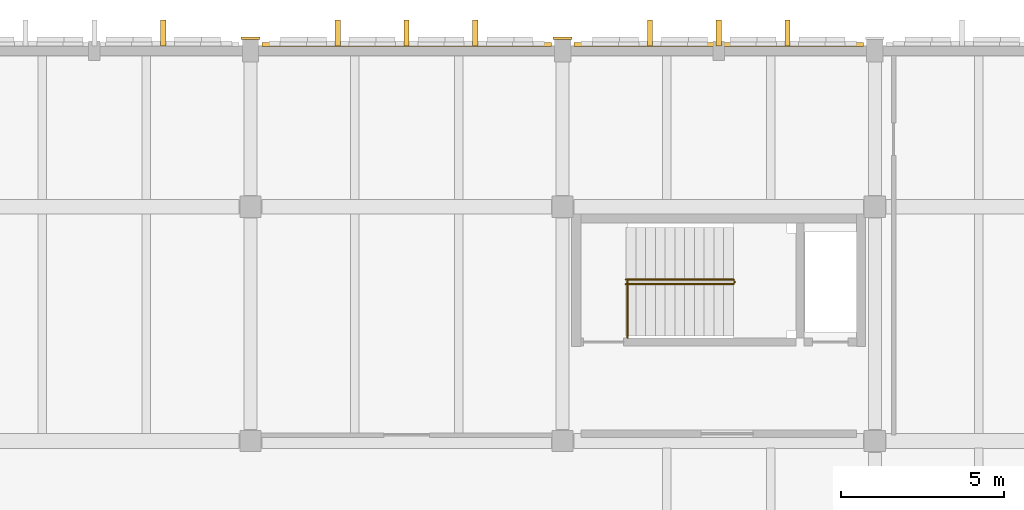
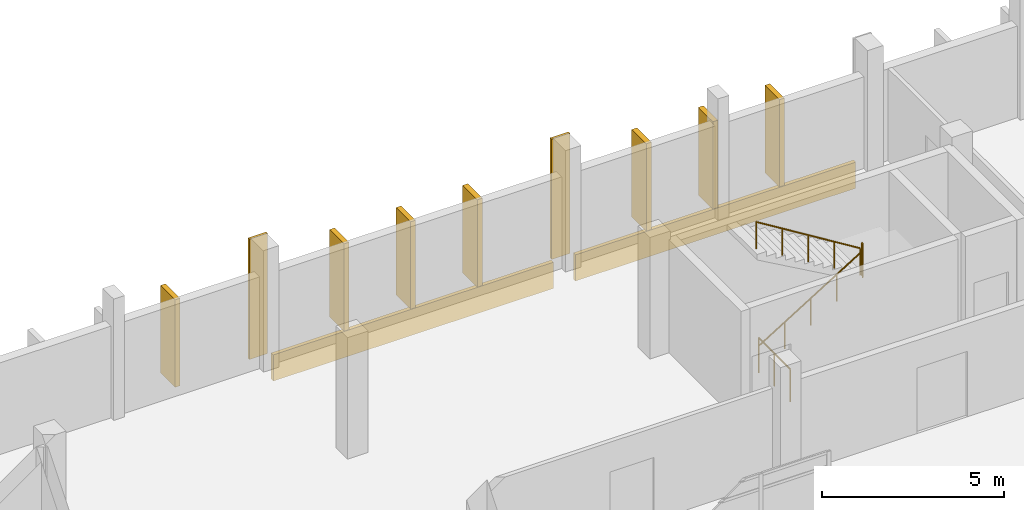
# One storey, part 67 of 72: 11 coverings, 4 railings.
"""IFC4 building model written with IfcOpenShell, lengths in metres."""

import ifcopenshell
import ifcopenshell.guid

model = None  # the IFC model being written
_history = None  # IfcOwnerHistory: only IFC2X3 demands one
_inside = {}  # id of a spatial element -> (the spatial element, [elements in it])
_under = {}  # id of a project, library or spatial element -> (it, [spatial elements below it])
_declared = {}  # id of a project -> (the project, [libraries it declares])
_typed = {}  # id of a type object -> (the type object, [elements of that type])
_made_of = {}  # id of a material, layer set ... -> (it, [elements and type objects made of it])


def new_model(schema):
    """Start an empty IFC model of exactly this schema.

    Asked for "IFC4X3", IfcOpenShell would pick the latest addendum, in which some entities
    have other attributes; the version numbers below select the first issue.
    IFC2X3 requires an IfcOwnerHistory on every rooted entity: one is made here for all.
    """
    global model, _history
    if schema == "IFC4X3":
        model = ifcopenshell.file(schema_version=(4, 3, 0, 0))
    else:
        model = ifcopenshell.file(schema=schema)
    _inside.clear()
    _under.clear()
    _declared.clear()
    _typed.clear()
    _made_of.clear()
    _history = None
    if model.schema == "IFC2X3":
        org = make("IfcOrganization", Name="unknown")
        user = make(
            "IfcPersonAndOrganization",
            ThePerson=make("IfcPerson", FamilyName="unknown"),
            TheOrganization=org,
        )
        app = make(
            "IfcApplication",
            ApplicationDeveloper=org,
            Version="unknown",
            ApplicationFullName="unknown",
            ApplicationIdentifier="unknown",
        )
        _history = make(
            "IfcOwnerHistory",
            OwningUser=user,
            OwningApplication=app,
            ChangeAction="ADDED",
            CreationDate=0,
        )
    return model


def make(cls, **values):
    """One entity of the class cls with the attributes given. An attribute that is None is left unset."""
    return model.create_entity(
        cls, **{name: value for name, value in values.items() if value is not None}
    )


def rooted(cls, **values):
    """An entity with a GlobalId (a new one), such as an element, a storey or a relation."""
    return make(cls, GlobalId=ifcopenshell.guid.new(), OwnerHistory=_history, **values)


def si_unit(unit_type, name, prefix=None):
    """IfcSIUnit, for example si_unit("LENGTHUNIT", "METRE", prefix="MILLI")."""
    return make("IfcSIUnit", UnitType=unit_type, Prefix=prefix, Name=name)


def assignment(units):
    """IfcUnitAssignment: the units of a project."""
    return None if units is None else make("IfcUnitAssignment", Units=units)


def point(xyz):
    """IfcCartesianPoint."""
    return None if xyz is None else make("IfcCartesianPoint", Coordinates=xyz)


def direction(xyz):
    """IfcDirection."""
    return None if xyz is None else make("IfcDirection", DirectionRatios=xyz)


def frame(location, z_axis=None, x_axis=None):
    """IfcAxis2Placement3D, a coordinate frame: its origin and axes. An axis left out is left unset."""
    return make(
        "IfcAxis2Placement3D",
        Location=point(location),
        Axis=direction(z_axis),
        RefDirection=direction(x_axis),
    )


def frame_2d(location, x_axis=None):
    """IfcAxis2Placement2D, a coordinate frame in the plane: its origin and x axis."""
    return make(
        "IfcAxis2Placement2D", Location=point(location), RefDirection=direction(x_axis)
    )


def origin():
    """The frame at (0, 0, 0) with its axes left unset."""
    return frame((0.0, 0.0, 0.0))


def origin_2d():
    """The frame at (0, 0) in the plane with its x axis left unset."""
    return frame_2d((0.0, 0.0))


def place(relative_to, where):
    """IfcLocalPlacement: puts the frame where relative to a parent placement (None: the world)."""
    return make(
        "IfcLocalPlacement", PlacementRelTo=relative_to, RelativePlacement=where
    )


def context(
    kind, dimensions, precision=None, world=None, true_north=None, identifier=None
):
    """IfcGeometricRepresentationContext, for example the 3D "Model" context."""
    return make(
        "IfcGeometricRepresentationContext",
        ContextIdentifier=identifier,
        ContextType=kind,
        CoordinateSpaceDimension=dimensions,
        Precision=precision,
        WorldCoordinateSystem=world,
        TrueNorth=true_north,
    )


def subcontext(parent, identifier, kind, view, scale=None):
    """IfcGeometricRepresentationSubContext, for example "Body" below "Model"."""
    return make(
        "IfcGeometricRepresentationSubContext",
        ContextIdentifier=identifier,
        ContextType=kind,
        ParentContext=parent,
        TargetScale=scale,
        TargetView=view,
    )


def project(units=None, contexts=None):
    """IfcProject with its units and contexts."""
    return rooted(
        "IfcProject",
        Name="project",
        RepresentationContexts=contexts,
        UnitsInContext=assignment(units),
    )


def spatial(cls, under=None, at=None, **own):
    """A site, building, storey or space (cls), placed at a placement, below another one or the project."""
    s = rooted(cls, ObjectPlacement=at, **own)
    if under is not None:
        _under.setdefault(under.id(), (under, []))[1].append(s)
    return s


def profile(cls, at=None, kind="AREA", **sizes):
    """A parametric profile (cls). Its sizes go by their IFC names, for example OverallWidth=200.0."""
    return make(cls, ProfileType=kind, Position=at, **sizes)


def rectangle(**sizes):
    """IfcRectangleProfileDef."""
    return profile("IfcRectangleProfileDef", **sizes)


def circle(**sizes):
    """IfcCircleProfileDef."""
    return profile("IfcCircleProfileDef", **sizes)


def extrude(swept, where, along, depth):
    """IfcExtrudedAreaSolid: the profile swept, set in the frame where, extruded along a direction by depth."""
    return make(
        "IfcExtrudedAreaSolid",
        SweptArea=swept,
        Position=where,
        ExtrudedDirection=direction(along),
        Depth=depth,
    )


def shape(context_of_items, identifier, shape_type, items):
    """IfcShapeRepresentation: the items that make up one representation, for example the "Body"."""
    return make(
        "IfcShapeRepresentation",
        ContextOfItems=context_of_items,
        RepresentationIdentifier=identifier,
        RepresentationType=shape_type,
        Items=items,
    )


def material(Name=None, Category=None):
    """IfcMaterial."""
    return make("IfcMaterial", Name=Name, Category=Category)


def layer(
    of_material, thickness, ventilated=None, Name=None, Category=None, Priority=None
):
    """IfcMaterialLayer: one layer of a wall or slab, of a material (None: an air gap)."""
    return make(
        "IfcMaterialLayer",
        Material=of_material,
        LayerThickness=thickness,
        IsVentilated=ventilated,
        Name=Name,
        Category=Category,
        Priority=Priority,
    )


def layer_set(layers, Name=None):
    """IfcMaterialLayerSet."""
    return make("IfcMaterialLayerSet", MaterialLayers=layers, LayerSetName=Name)


def made_of(thing, what):
    """Note that an element or type object is made of a material, layer set ...; save() writes the relation."""
    if what is not None:
        _made_of.setdefault(what.id(), (what, []))[1].append(thing)
    return thing


def type_object(cls, material=None, **own):
    """A type object (cls), such as IfcWallType, which elements share."""
    return made_of(rooted(cls, **own), material)


def element(
    cls,
    number,
    at=None,
    inside=None,
    cuts=None,
    type_object=None,
    material=None,
    context=None,
    identifier="Body",
    shape_type=None,
    held_by="IfcProductDefinitionShape",
    body=None,
    shapes=None,
    **own,
):
    """One element of the class cls, such as IfcWall. Its Tag is "e" and its number.

    at: its placement. inside: the storey or other place that contains it. cuts: it is an
    opening in that element (IfcRelVoidsElement). A single representation is given by context,
    identifier, shape_type and body (its items); several are given by shapes. held_by: the class
    of the entity that holds the representations. save() writes the other relations.
    """
    e = rooted(cls, Tag="e%d" % number, ObjectPlacement=at, **own)
    if body is not None:
        shapes = [shape(context, identifier, shape_type, body)]
    if shapes is not None:
        e.Representation = make(held_by, Representations=shapes)
    if inside is not None:
        _inside.setdefault(inside.id(), (inside, []))[1].append(e)
    if cuts is not None:
        rooted(
            "IfcRelVoidsElement", RelatingBuildingElement=cuts, RelatedOpeningElement=e
        )
    if type_object is not None:
        _typed.setdefault(type_object.id(), (type_object, []))[1].append(e)
    return made_of(e, material)


def aggregate(whole, parts):
    """IfcRelAggregates: a whole, such as a stair, and the parts it consists of."""
    return rooted("IfcRelAggregates", RelatingObject=whole, RelatedObjects=parts)


def save(model, path):
    """Write the relations noted so far, then the file.

    IfcRelAggregates (storeys below a building ...), IfcRelContainedInSpatialStructure (elements
    in a storey), IfcRelDefinesByType, IfcRelAssociatesMaterial and IfcRelDeclares: one each for
    every whole, place, type object, material and project.
    """
    for whole, parts in _under.values():
        aggregate(whole, parts)
    for where, things in _inside.values():
        rooted(
            "IfcRelContainedInSpatialStructure",
            RelatedElements=things,
            RelatingStructure=where,
        )
    for kind, things in _typed.values():
        rooted("IfcRelDefinesByType", RelatedObjects=things, RelatingType=kind)
    for what, things in _made_of.values():
        rooted("IfcRelAssociatesMaterial", RelatedObjects=things, RelatingMaterial=what)
    for by, libraries in _declared.values():
        rooted("IfcRelDeclares", RelatingContext=by, RelatedDefinitions=libraries)
    model.write(path)


model = new_model("IFC4")

# Units and contexts
model_context = context("Model", 3, precision=1e-05, world=origin(), true_north=direction((0.0, 1.0)))
body_context = subcontext(model_context, "Body", "Model", "MODEL_VIEW")
ifc_project = project(units=[si_unit("LENGTHUNIT", "METRE"), si_unit("AREAUNIT", "SQUARE_METRE"), si_unit("VOLUMEUNIT", "CUBIC_METRE"), si_unit("PLANEANGLEUNIT", "RADIAN"), si_unit("MASSUNIT", "GRAM", prefix="KILO")], contexts=[model_context])

# Site, building, storey
site_placement = place(None, origin())
site = spatial("IfcSite", under=ifc_project, at=site_placement, CompositionType="ELEMENT")
building_placement = place(site_placement, origin())
building = spatial("IfcBuilding", under=site, at=building_placement, Name="Asteropetra Specialist Clinic", CompositionType="ELEMENT")
storey_placement = place(building_placement, frame((0.0, 0.0, 12.580078125)))
storey = spatial("IfcBuildingStorey", under=building, at=storey_placement, Name="L03", CompositionType="ELEMENT", Elevation=12.580078125)

# Coverings
ifc_material_1 = material(Name="Chevron terracotta pale", Category="masonry")
ifc_layer_1 = layer(ifc_material_1, 0.1201171875)
ifc_layer_set_1 = layer_set([ifc_layer_1], Name="Chevron terracotta pale")
covering_type_1 = type_object("IfcCoveringType", Name="CLD-TER-PALE", PredefinedType="CLADDING", material=ifc_layer_set_1)
for number, where, z_axis, x_axis, name in (
    (1, (24.0, 110.590087890625, -0.800048828125), (0.0, 0.0, 1.0), (1.0, 0.0, 0.0), "Chevron Spandrel Band CV-1469"),
    (2, (33.60009765625, 110.590087890625, -0.800048828125), (0.0, 0.0, 1.0), (1.0, 0.0, 0.0), "Chevron Spandrel Band CV-1485"),
):
    element("IfcCovering", number, at=place(storey_placement, frame(where, z_axis=z_axis, x_axis=x_axis)), inside=storey, type_object=covering_type_1, Name=name, PredefinedType="CLADDING", context=body_context, shape_type="SweptSolid", body=[
        extrude(rectangle(XDim=8.89990234375, YDim=0.1201171875, at=origin_2d()), origin(), (0.0, 0.0, 1.0), 0.8798828125),
    ])
ifc_material_2 = material(Name="Pentelic marble ashlar", Category="masonry")
ifc_layer_2 = layer(ifc_material_2, 0.159912109375)
ifc_layer_set_2 = layer_set([ifc_layer_2], Name="Pentelic marble ashlar")
covering_type_2 = type_object("IfcCoveringType", Name="CRN-ENTAB-600", PredefinedType="MOLDING", material=ifc_layer_set_2)
for number, where, z_axis, x_axis, name in (
    (3, (19.199951171875, 110.781982421875, 0.02001953125), (0.0, 0.0, 1.0), (1.0, 0.0, 0.0), "Neoclassical Pilaster Facing CM-0687"),
    (4, (28.800048828125, 110.781982421875, 0.02001953125), (0.0, 0.0, 1.0), (1.0, 0.0, 0.0), "Neoclassical Pilaster Facing CM-0689"),
):
    element("IfcCovering", number, at=place(storey_placement, frame(where, z_axis=z_axis, x_axis=x_axis)), inside=storey, type_object=covering_type_2, Name=name, PredefinedType="MOLDING", context=body_context, shape_type="SweptSolid", body=[
        extrude(rectangle(XDim=0.580078125, YDim=0.080078125, at=origin_2d()), origin(), (0.0, 0.0, 1.0), 4.0400390625),
    ])
ifc_material_3 = material(Name="Pentelic marble solar fin", Category="masonry")
ifc_layer_3 = layer(ifc_material_3, 0.080078125)
ifc_layer_set_3 = layer_set([ifc_layer_3], Name="Pentelic marble solar fin")
covering_type_3 = type_object("IfcCoveringType", Name="FIN-SOLAR-800", PredefinedType="MOLDING", material=ifc_layer_set_3)
for number, where, z_axis, x_axis, name in (
    (5, (16.514892578125, 110.945068359375, 0.070068359375), (0.0, 0.0, 1.0), (1.0, 0.0, 0.0), "Solar Shading Fin FN-0084"),
    (6, (26.114990234375, 110.945068359375, 0.070068359375), (0.0, 0.0, 1.0), (1.0, 0.0, 0.0), "Solar Shading Fin FN-0087"),
    (7, (24.0, 110.945068359375, 0.070068359375), (0.0, 0.0, 1.0), (1.0, 0.0, 0.0), "Solar Shading Fin FN-0088"),
    (8, (21.885009765625, 110.945068359375, 0.070068359375), (0.0, 0.0, 1.0), (1.0, 0.0, 0.0), "Solar Shading Fin FN-0089"),
    (9, (35.715087890625, 110.945068359375, 0.070068359375), (0.0, 0.0, 1.0), (1.0, 0.0, 0.0), "Solar Shading Fin FN-0092"),
    (10, (33.60009765625, 110.945068359375, 0.070068359375), (0.0, 0.0, 1.0), (1.0, 0.0, 0.0), "Solar Shading Fin FN-0093"),
    (11, (31.485107421875, 110.945068359375, 0.070068359375), (0.0, 0.0, 1.0), (1.0, 0.0, 0.0), "Solar Shading Fin FN-0094"),
):
    element("IfcCovering", number, at=place(storey_placement, frame(where, z_axis=z_axis, x_axis=x_axis)), inside=storey, type_object=covering_type_3, Name=name, PredefinedType="MOLDING", context=body_context, shape_type="SweptSolid", body=[
        extrude(rectangle(XDim=0.159912109375, YDim=0.800048828125, at=origin_2d()), origin(), (0.0, 0.0, 1.0), 2.93994140625),
    ])

# Railings
ifc_material_4 = material(Name="Steel S355 and laminated glass guard", Category="steel")
railing_type_1 = type_object("IfcRailingType", Name="GRD-INT-1120", PredefinedType="GUARDRAIL", material=ifc_material_4)
railing_1_placement = place(storey_placement, frame((30.800048828125, 101.580078125, 0.0)))
element("IfcRailing", 12, at=railing_1_placement, inside=storey, type_object=railing_type_1, Name="Stair Well Guard ST02-L02", PredefinedType="GUARDRAIL", context=body_context, shape_type="SweptSolid", body=[
    extrude(circle(Radius=0.02392578125, at=origin_2d()), frame((0.0, 0.0, 1.09619140625), z_axis=(0.0, 1.0, 0.0), x_axis=(-1.0, 0.0, 0.0)), (0.0, 0.0, 1.0), 1.72998046875),
    extrude(circle(Radius=0.02099609375, at=origin_2d()), origin(), (0.0, 0.0, 1.0), 1.072021484375),
    extrude(circle(Radius=0.02099609375, at=origin_2d()), frame((0.0, 0.864990234375, 0.0)), (0.0, 0.0, 1.0), 1.072021484375),
    extrude(circle(Radius=0.02099609375, at=origin_2d()), frame((0.0, 1.72998046875, 0.0)), (0.0, 0.0, 1.0), 1.072021484375),
])
railing_2_placement = place(storey_placement, frame((34.080078125, 103.27001953125, 2.0400390625)))
element("IfcRailing", 13, at=railing_2_placement, inside=storey, type_object=railing_type_1, Name="Landing Slot Guard ST02-L03", PredefinedType="GUARDRAIL", context=body_context, shape_type="SweptSolid", body=[
    extrude(circle(Radius=0.02392578125, at=origin_2d()), frame((0.0, 0.0, 1.09619140625), z_axis=(0.0, 1.0, 0.0), x_axis=(-1.0, 0.0, 0.0)), (0.0, 0.0, 1.0), 0.0400390625),
    extrude(circle(Radius=0.02099609375, at=origin_2d()), origin(), (0.0, 0.0, 1.0), 1.072021484375),
    extrude(circle(Radius=0.02099609375, at=origin_2d()), frame((0.0, 0.0400390625, 0.0)), (0.0, 0.0, 1.0), 1.072021484375),
])
ifc_material_5 = material(Name="Brushed stainless steel handrail", Category="steel")
railing_type_2 = type_object("IfcRailingType", Name="HRL-STAIR-920", PredefinedType="HANDRAIL", material=ifc_material_5)
railing_3_placement = place(storey_placement, frame((30.75, 103.219970703125, 0.0)))
element("IfcRailing", 14, at=railing_3_placement, inside=storey, type_object=railing_type_2, Name="Stair Handrail ST02-L03 F1", PredefinedType="HANDRAIL", context=body_context, shape_type="SweptSolid", body=[
    extrude(circle(Radius=0.02392578125, at=origin_2d()), frame((0.0, 0.0, 0.89599609375), z_axis=(0.850593546085, 0.0, 0.525823753132), x_axis=(0.0, 1.0, 0.0)), (0.0, 0.0, 1.0), 3.879638671875),
    extrude(circle(Radius=0.02099609375, at=origin_2d()), origin(), (0.0, 0.0, 1.0), 0.871826171875),
    extrude(circle(Radius=0.02099609375, at=origin_2d()), frame((0.824951171875, 0.0, 0.510009765625)), (0.0, 0.0, 1.0), 0.871826171875),
    extrude(circle(Radius=0.02099609375, at=origin_2d()), frame((1.64990234375, 0.0, 1.02001953125)), (0.0, 0.0, 1.0), 0.871826171875),
    extrude(circle(Radius=0.02099609375, at=origin_2d()), frame((2.47509765625, 0.0, 1.530029296875)), (0.0, 0.0, 1.0), 0.871826171875),
    extrude(circle(Radius=0.02099609375, at=origin_2d()), frame((3.300048828125, 0.0, 2.0400390625)), (0.0, 0.0, 1.0), 0.871826171875),
])
railing_4_placement = place(storey_placement, frame((34.050048828125, 103.360107421875, 2.0400390625)))
element("IfcRailing", 15, at=railing_4_placement, inside=storey, type_object=railing_type_2, Name="Stair Handrail ST02-L03 F2", PredefinedType="HANDRAIL", context=body_context, shape_type="SweptSolid", body=[
    extrude(circle(Radius=0.02392578125, at=origin_2d()), frame((0.0, 0.0, 0.89599609375), z_axis=(-0.850621690979, 0.0, 0.525778222101), x_axis=(0.0, -1.0, 0.0)), (0.0, 0.0, 1.0), 3.879638671875),
    extrude(circle(Radius=0.02099609375, at=origin_2d()), origin(), (0.0, 0.0, 1.0), 0.871826171875),
    extrude(circle(Radius=0.02099609375, at=origin_2d()), frame((-0.824951171875, 0.0, 0.510009765625)), (0.0, 0.0, 1.0), 0.871826171875),
    extrude(circle(Radius=0.02099609375, at=origin_2d()), frame((-1.64990234375, 0.0, 1.02001953125)), (0.0, 0.0, 1.0), 0.871826171875),
    extrude(circle(Radius=0.02099609375, at=origin_2d()), frame((-2.47509765625, 0.0, 1.52978515625)), (0.0, 0.0, 1.0), 0.871826171875),
    extrude(circle(Radius=0.02099609375, at=origin_2d()), frame((-3.300048828125, 0.0, 2.039794921875)), (0.0, 0.0, 1.0), 0.871826171875),
])

save(model, "model.ifc")
